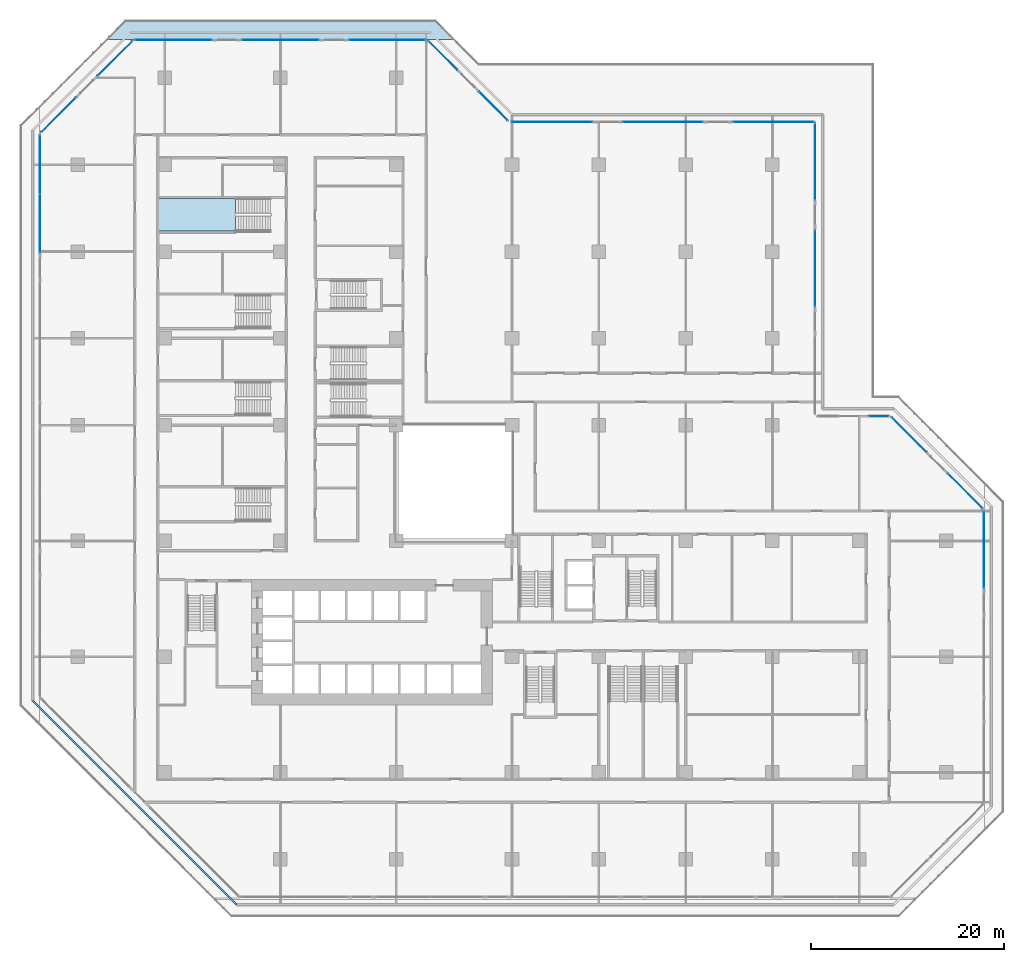
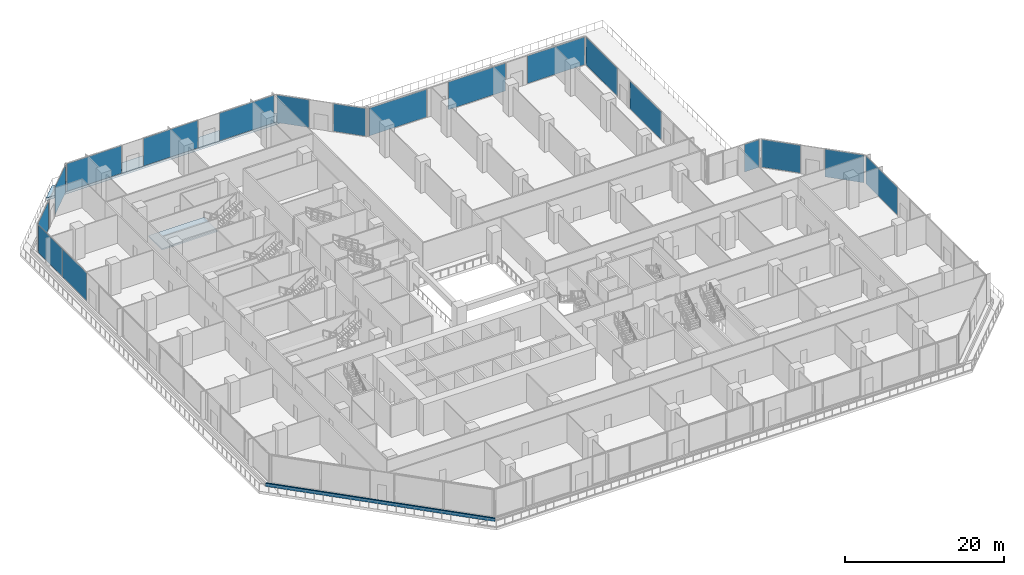
# One storey, part 13 of 31: 18 plates, 2 slabs, 1 wall, 18 elements without a shape of their own.
"""IFC4 building model written with IfcOpenShell, lengths in metres."""

from ifc_helpers import new_model, si_unit, direction, frame, frame_2d, origin, origin_2d, place, context, subcontext, project, spatial, polyline, rectangle, outline, extrude, material, layer, layer_set, type_object, element, aggregate, save


model = new_model("IFC4")

# Units and contexts
model_context = context("Model", 3, precision=1e-05, world=origin(), true_north=direction((0.0, 1.0)))
body_context = subcontext(model_context, "Body", "Model", "MODEL_VIEW")
ifc_project = project(units=[si_unit("LENGTHUNIT", "METRE"), si_unit("AREAUNIT", "SQUARE_METRE"), si_unit("VOLUMEUNIT", "CUBIC_METRE"), si_unit("PLANEANGLEUNIT", "RADIAN"), si_unit("MASSUNIT", "GRAM", prefix="KILO")], contexts=[model_context])

# Site, building, storey
site_placement = place(None, origin())
site = spatial("IfcSite", under=ifc_project, at=site_placement, CompositionType="ELEMENT")
building_placement = place(site_placement, origin())
building = spatial("IfcBuilding", under=site, at=building_placement, Name="Chenar Terraces", CompositionType="ELEMENT")
storey_placement = place(building_placement, frame((0.0, 0.0, 7.199951171875)))
storey = spatial("IfcBuildingStorey", under=building, at=storey_placement, Name="L01", CompositionType="ELEMENT", Elevation=7.199951171875)

# Stair, slab
ifc_material_1 = material(Name="Reinforced concrete C40/50", Category="concrete")
stair_type = type_object("IfcStairType", Name="Core stair 1400 half-turn", PredefinedType="HALF_TURN_STAIR", material=ifc_material_1)
placement = place(storey_placement, origin())
stair = element("IfcStair", 1, at=placement, inside=storey, type_object=stair_type, Name="L01 Exit stair PS3", PredefinedType="HALF_TURN_STAIR")
ifc_material_2 = material(Name="Reinforced concrete C40/50", Category="concrete")
ifc_layer_1 = layer(ifc_material_2, 0.199951171875)
ifc_layer_set_1 = layer_set([ifc_layer_1], Name="Reinforced concrete C40/50")
slab_type_1 = type_object("IfcSlabType", Name="Core stair landing 200", PredefinedType="LANDING", material=ifc_layer_set_1)
slab_1_placement = place(storey_placement, frame((0.0, 0.0, 2.199951171875)))
slab_1 = element("IfcSlab", 2, at=slab_1_placement, type_object=slab_type_1, Name="PS3 landing 1", PredefinedType="LANDING", context=body_context, shape_type="SweptSolid", body=[
    extrude(outline(polyline([(7.344970703125, 59.489990234375), (-0.699951171875, 59.489990234375), (-0.699951171875, 56.110107421875), (7.344970703125, 56.110107421875), (7.344970703125, 59.489990234375)])), origin(), (0.0, 0.0, 1.0), 0.2001953125),
])
aggregate(stair, [slab_1])

# Curtain wall, plate
ifc_material_3 = material(Name="Aluminium framed glazing", Category="aluminium")
ifc_layer_2 = layer(ifc_material_3, 0.14990234375)
ifc_layer_set_2 = layer_set([ifc_layer_2], Name="Aluminium framed glazing")
curtain_wall_type = type_object("IfcCurtainWallType", Name="School curtain wall", PredefinedType="NOTDEFINED", material=ifc_layer_set_2)
curtain_wall_1 = element("IfcCurtainWall", 3, at=placement, inside=storey, type_object=curtain_wall_type, Name="School curtain wall", PredefinedType="NOTDEFINED")
ifc_material_4 = material(Name="Low emissivity laminated glass, solar control coating", Category="glass")
ifc_layer_3 = layer(ifc_material_4, 0.031982421875)
ifc_layer_set_3 = layer_set([ifc_layer_3], Name="Low emissivity laminated glass, solar control coating")
plate_type = type_object("IfcPlateType", Name="School glazing panel 32", PredefinedType="CURTAIN_PANEL", material=ifc_layer_set_3)
plate_1_placement = place(storey_placement, frame((34.067138671875, 69.09033203125, 0.06982421875), z_axis=(0.0, 0.0, 1.0), x_axis=(-0.707106781187, 0.707106781187, 0.0)))
plate_1 = element("IfcPlate", 4, at=plate_1_placement, type_object=plate_type, Name="CW2-01c0 panel 1.1", PredefinedType="CURTAIN_PANEL", context=body_context, shape_type="SweptSolid", body=[
    extrude(rectangle(XDim=4.2080078125, YDim=0.031982421875, at=origin_2d()), origin(), (0.0, 0.0, 1.0), 4.260009765625),
])
aggregate(curtain_wall_1, [plate_1])

curtain_wall_2 = element("IfcCurtainWall", 5, at=placement, inside=storey, type_object=curtain_wall_type, Name="School curtain wall", PredefinedType="NOTDEFINED")
plate_2_placement = place(storey_placement, frame((28.853759765625, 74.3037109375, 0.06982421875), z_axis=(0.0, 0.0, 1.0), x_axis=(-0.707106781187, 0.707106781187, 0.0)))
plate_2 = element("IfcPlate", 6, at=plate_2_placement, type_object=plate_type, Name="CW2-01c1 panel 1.1", PredefinedType="CURTAIN_PANEL", context=body_context, shape_type="SweptSolid", body=[
    extrude(rectangle(XDim=4.2080078125, YDim=0.031982421875, at=origin_2d()), origin(), (0.0, 0.0, 1.0), 4.260009765625),
])
aggregate(curtain_wall_2, [plate_2])

curtain_wall_3 = element("IfcCurtainWall", 7, at=placement, inside=storey, type_object=curtain_wall_type, Name="School curtain wall", PredefinedType="NOTDEFINED")
plate_3_placement = place(storey_placement, frame((23.08203125, 75.925048828125, 0.06982421875), z_axis=(0.0, 0.0, 1.0), x_axis=(-1.0, 0.0, 0.0)))
plate_3 = element("IfcPlate", 8, at=plate_3_placement, type_object=plate_type, Name="CW2-02c0 panel 1.1", PredefinedType="CURTAIN_PANEL", context=body_context, shape_type="SweptSolid", body=[
    extrude(rectangle(XDim=7.923095703125, YDim=0.031982421875, at=origin_2d()), origin(), (0.0, 0.0, 1.0), 4.260009765625),
])
aggregate(curtain_wall_3, [plate_3])

curtain_wall_4 = element("IfcCurtainWall", 9, at=placement, inside=storey, type_object=curtain_wall_type, Name="School curtain wall", PredefinedType="NOTDEFINED")
plate_4_placement = place(storey_placement, frame((12.0, 75.925048828125, 0.06982421875), z_axis=(0.0, 0.0, 1.0), x_axis=(-1.0, 0.0, 0.0)))
plate_4 = element("IfcPlate", 10, at=plate_4_placement, type_object=plate_type, Name="CW2-02c1 panel 1.1", PredefinedType="CURTAIN_PANEL", context=body_context, shape_type="SweptSolid", body=[
    extrude(rectangle(XDim=7.91064453125, YDim=0.031982421875, at=origin_2d()), origin(), (0.0, 0.0, 1.0), 4.260009765625),
])
aggregate(curtain_wall_4, [plate_4])

curtain_wall_5 = element("IfcCurtainWall", 11, at=placement, inside=storey, type_object=curtain_wall_type, Name="School curtain wall", PredefinedType="NOTDEFINED")
plate_5_placement = place(storey_placement, frame((0.91796875, 75.925048828125, 0.06982421875), z_axis=(0.0, 0.0, 1.0), x_axis=(-1.0, 0.0, 0.0)))
plate_5 = element("IfcPlate", 12, at=plate_5_placement, type_object=plate_type, Name="CW2-02c2 panel 1.1", PredefinedType="CURTAIN_PANEL", context=body_context, shape_type="SweptSolid", body=[
    extrude(rectangle(XDim=7.923095703125, YDim=0.031982421875, at=origin_2d()), origin(), (0.0, 0.0, 1.0), 4.260009765625),
])
aggregate(curtain_wall_5, [plate_5])

curtain_wall_6 = element("IfcCurtainWall", 13, at=placement, inside=storey, type_object=curtain_wall_type, Name="School curtain wall", PredefinedType="NOTDEFINED")
plate_6_placement = place(storey_placement, frame((-5.162841796875, 73.99462890625, 0.06982421875), z_axis=(0.0, 0.0, 1.0), x_axis=(-0.707106781187, -0.707106781187, 0.0)))
plate_6 = element("IfcPlate", 14, at=plate_6_placement, type_object=plate_type, Name="CW2-03c0 panel 1.1", PredefinedType="CURTAIN_PANEL", context=body_context, shape_type="SweptSolid", body=[
    extrude(rectangle(XDim=5.082275390625, YDim=0.031982421875, at=origin_2d()), origin(), (0.0, 0.0, 1.0), 4.260009765625),
])
aggregate(curtain_wall_6, [plate_6])

curtain_wall_7 = element("IfcCurtainWall", 15, at=placement, inside=storey, type_object=curtain_wall_type, Name="School curtain wall", PredefinedType="NOTDEFINED")
plate_7_placement = place(storey_placement, frame((-10.99462890625, 68.162841796875, 0.06982421875), z_axis=(0.0, 0.0, 1.0), x_axis=(-0.707106781187, -0.707106781187, 0.0)))
plate_7 = element("IfcPlate", 16, at=plate_7_placement, type_object=plate_type, Name="CW2-03c1 panel 1.1", PredefinedType="CURTAIN_PANEL", context=body_context, shape_type="SweptSolid", body=[
    extrude(rectangle(XDim=5.082275390625, YDim=0.031982421875, at=origin_2d()), origin(), (0.0, 0.0, 1.0), 4.260009765625),
])
aggregate(curtain_wall_7, [plate_7])

# Curtain wall, plates
curtain_wall_8 = element("IfcCurtainWall", 17, at=placement, inside=storey, type_object=curtain_wall_type, Name="School curtain wall", PredefinedType="NOTDEFINED")
plate_8_placement = place(storey_placement, frame((-12.925048828125, 63.0224609375, 0.06982421875), z_axis=(0.0, 0.0, 1.0), x_axis=(0.0, -1.0, 0.0)))
plate_8 = element("IfcPlate", 18, at=plate_8_placement, type_object=plate_type, Name="CW2-04c0 panel 1.1", PredefinedType="CURTAIN_PANEL", context=body_context, shape_type="SweptSolid", body=[
    extrude(rectangle(XDim=6.042236328125, YDim=0.031982421875, at=origin_2d()), origin(), (0.0, 0.0, 1.0), 4.260009765625),
])
plate_9_placement = place(storey_placement, frame((-12.925048828125, 56.910400390625, 0.06982421875), z_axis=(0.0, 0.0, 1.0), x_axis=(0.0, -1.0, 0.0)))
plate_9 = element("IfcPlate", 19, at=plate_9_placement, type_object=plate_type, Name="CW2-04c0 panel 2.1", PredefinedType="CURTAIN_PANEL", context=body_context, shape_type="SweptSolid", body=[
    extrude(rectangle(XDim=6.042236328125, YDim=0.031982421875, at=origin_2d()), origin(), (0.0, 0.0, 1.0), 4.260009765625),
])
aggregate(curtain_wall_8, [plate_8, plate_9])

# Curtain wall, plate
curtain_wall_9 = element("IfcCurtainWall", 20, at=placement, inside=storey, type_object=curtain_wall_type, Name="School curtain wall", PredefinedType="NOTDEFINED")
plate_10_placement = place(storey_placement, frame((84.925048828125, 23.08203125, 0.06982421875), z_axis=(0.0, 0.0, 1.0), x_axis=(0.0, 1.0, 0.0)))
plate_10 = element("IfcPlate", 21, at=plate_10_placement, type_object=plate_type, Name="CW2-08c2 panel 1.1", PredefinedType="CURTAIN_PANEL", context=body_context, shape_type="SweptSolid", body=[
    extrude(rectangle(XDim=7.923095703125, YDim=0.031982421875, at=origin_2d()), origin(), (0.0, 0.0, 1.0), 4.260009765625),
])
aggregate(curtain_wall_9, [plate_10])

curtain_wall_10 = element("IfcCurtainWall", 22, at=placement, inside=storey, type_object=curtain_wall_type, Name="School curtain wall", PredefinedType="NOTDEFINED")
plate_11_placement = place(storey_placement, frame((82.99462890625, 29.162841796875, 0.06982421875), z_axis=(0.0, 0.0, 1.0), x_axis=(-0.707106781187, 0.707106781187, 0.0)))
plate_11 = element("IfcPlate", 23, at=plate_11_placement, type_object=plate_type, Name="CW2-09c0 panel 1.1", PredefinedType="CURTAIN_PANEL", context=body_context, shape_type="SweptSolid", body=[
    extrude(rectangle(XDim=5.082275390625, YDim=0.031982421875, at=origin_2d()), origin(), (0.0, 0.0, 1.0), 4.260009765625),
])
aggregate(curtain_wall_10, [plate_11])

curtain_wall_11 = element("IfcCurtainWall", 24, at=placement, inside=storey, type_object=curtain_wall_type, Name="School curtain wall", PredefinedType="NOTDEFINED")
plate_12_placement = place(storey_placement, frame((77.162841796875, 34.99462890625, 0.06982421875), z_axis=(0.0, 0.0, 1.0), x_axis=(-0.707106781187, 0.707106781187, 0.0)))
plate_12 = element("IfcPlate", 25, at=plate_12_placement, type_object=plate_type, Name="CW2-09c1 panel 1.1", PredefinedType="CURTAIN_PANEL", context=body_context, shape_type="SweptSolid", body=[
    extrude(rectangle(XDim=5.082275390625, YDim=0.031982421875, at=origin_2d()), origin(), (0.0, 0.0, 1.0), 4.260009765625),
])
aggregate(curtain_wall_11, [plate_12])

curtain_wall_12 = element("IfcCurtainWall", 26, at=placement, inside=storey, type_object=curtain_wall_type, Name="School curtain wall", PredefinedType="NOTDEFINED")
plate_13_placement = place(storey_placement, frame((74.00390625, 36.925048828125, 0.06982421875), z_axis=(0.0, 0.0, 1.0), x_axis=(-1.0, 0.0, 0.0)))
plate_13 = element("IfcPlate", 27, at=plate_13_placement, type_object=plate_type, Name="CW2-10c0 panel 1.1", PredefinedType="CURTAIN_PANEL", context=body_context, shape_type="SweptSolid", body=[
    extrude(rectangle(XDim=2.079345703125, YDim=0.031982421875, at=origin_2d()), origin(), (0.0, 0.0, 1.0), 4.260009765625),
])
aggregate(curtain_wall_12, [plate_13])

curtain_wall_13 = element("IfcCurtainWall", 28, at=placement, inside=storey, type_object=curtain_wall_type, Name="School curtain wall", PredefinedType="NOTDEFINED")
plate_14_placement = place(storey_placement, frame((67.425048828125, 52.25, 0.06982421875), z_axis=(0.0, 0.0, 1.0), x_axis=(0.0, 1.0, 0.0)))
plate_14 = element("IfcPlate", 29, at=plate_14_placement, type_object=plate_type, Name="CW2-11c1 panel 1.1", PredefinedType="CURTAIN_PANEL", context=body_context, shape_type="SweptSolid", body=[
    extrude(rectangle(XDim=7.901611328125, YDim=0.031982421875, at=origin_2d()), origin(), (0.0, 0.0, 1.0), 4.260009765625),
])
aggregate(curtain_wall_13, [plate_14])

curtain_wall_14 = element("IfcCurtainWall", 30, at=placement, inside=storey, type_object=curtain_wall_type, Name="School curtain wall", PredefinedType="NOTDEFINED")
plate_15_placement = place(storey_placement, frame((67.425048828125, 63.322998046875, 0.06982421875), z_axis=(0.0, 0.0, 1.0), x_axis=(0.0, 1.0, 0.0)))
plate_15 = element("IfcPlate", 31, at=plate_15_placement, type_object=plate_type, Name="CW2-11c2 panel 1.1", PredefinedType="CURTAIN_PANEL", context=body_context, shape_type="SweptSolid", body=[
    extrude(rectangle(XDim=7.9140625, YDim=0.031982421875, at=origin_2d()), origin(), (0.0, 0.0, 1.0), 4.260009765625),
])
aggregate(curtain_wall_14, [plate_15])

curtain_wall_15 = element("IfcCurtainWall", 32, at=placement, inside=storey, type_object=curtain_wall_type, Name="School curtain wall", PredefinedType="NOTDEFINED")
plate_16_placement = place(storey_placement, frame((63.116943359375, 67.425048828125, 0.06982421875), z_axis=(0.0, 0.0, 1.0), x_axis=(-1.0, 0.0, 0.0)))
plate_16 = element("IfcPlate", 33, at=plate_16_placement, type_object=plate_type, Name="CW2-12c0 panel 1.1", PredefinedType="CURTAIN_PANEL", context=body_context, shape_type="SweptSolid", body=[
    extrude(rectangle(XDim=8.326416015625, YDim=0.031982421875, at=origin_2d()), origin(), (0.0, 0.0, 1.0), 4.260009765625),
])
aggregate(curtain_wall_15, [plate_16])

curtain_wall_16 = element("IfcCurtainWall", 34, at=placement, inside=storey, type_object=curtain_wall_type, Name="School curtain wall", PredefinedType="NOTDEFINED")
plate_17_placement = place(storey_placement, frame((51.6318359375, 67.425048828125, 0.06982421875), z_axis=(0.0, 0.0, 1.0), x_axis=(-1.0, 0.0, 0.0)))
plate_17 = element("IfcPlate", 35, at=plate_17_placement, type_object=plate_type, Name="CW2-12c1 panel 1.1", PredefinedType="CURTAIN_PANEL", context=body_context, shape_type="SweptSolid", body=[
    extrude(rectangle(XDim=8.313720703125, YDim=0.031982421875, at=origin_2d()), origin(), (0.0, 0.0, 1.0), 4.260009765625),
])
aggregate(curtain_wall_16, [plate_17])

curtain_wall_17 = element("IfcCurtainWall", 36, at=placement, inside=storey, type_object=curtain_wall_type, Name="School curtain wall", PredefinedType="NOTDEFINED")
plate_18_placement = place(storey_placement, frame((40.146728515625, 67.425048828125, 0.06982421875), z_axis=(0.0, 0.0, 1.0), x_axis=(-1.0, 0.0, 0.0)))
plate_18 = element("IfcPlate", 37, at=plate_18_placement, type_object=plate_type, Name="CW2-12c2 panel 1.1", PredefinedType="CURTAIN_PANEL", context=body_context, shape_type="SweptSolid", body=[
    extrude(rectangle(XDim=8.326416015625, YDim=0.031982421875, at=origin_2d()), origin(), (0.0, 0.0, 1.0), 4.260009765625),
])
aggregate(curtain_wall_17, [plate_18])

# Slab
ifc_material_5 = material(Name="Concrete C40/50", Category="concrete")
ifc_layer_4 = layer(ifc_material_5, 0.39990234375)
ifc_layer_set_4 = layer_set([ifc_layer_4], Name="Concrete C40/50")
slab_type_2 = type_object("IfcSlabType", Name="Terrace slab 400 Concrete C40/50", PredefinedType="FLOOR", material=ifc_layer_set_4)
slab_2_placement = place(storey_placement, frame((0.0, 0.0, -0.39990234375)))
element("IfcSlab", 38, at=slab_2_placement, inside=storey, type_object=slab_type_2, Name="Terrace slab L01 4.1", PredefinedType="FLOOR", context=body_context, shape_type="SweptSolid", body=[
    extrude(outline(polyline([(-4.091796875, 78.0), (28.091796875, 78.0), (30.091796875, 76.0), (27.263427734375, 76.0), (-3.263427734375, 76.0), (-6.091796875, 76.0), (-4.091796875, 78.0)])), origin(), (0.0, 0.0, 1.0), 0.39990234375),
])

# Wall
ifc_material_6 = material(Name="Terracotta cladding on insulated backing", Category="masonry")
ifc_layer_5 = layer(ifc_material_6, 0.199951171875)
ifc_layer_set_5 = layer_set([ifc_layer_5], Name="Terracotta cladding on insulated backing")
wall_type = type_object("IfcWallType", Name="Terrace parapet upstand 200", PredefinedType="PARAPET", material=ifc_layer_set_5)
wall_placement = place(storey_placement, frame((7.446533203125, -13.699951171875, 0.0), z_axis=(0.0, 0.0, 1.0), x_axis=(-0.707106781187, 0.707106781187, 0.0)))
element("IfcWall", 39, at=wall_placement, inside=storey, type_object=wall_type, Name="Terrace parapet", PredefinedType="PARAPET", context=body_context, shape_type="SweptSolid", body=[
    extrude(rectangle(XDim=29.90576171875, YDim=0.199951171875, at=frame_2d((14.952880859375, 0.0))), origin(), (0.0, 0.0, 1.0), 0.5),
])

save(model, "model.ifc")
